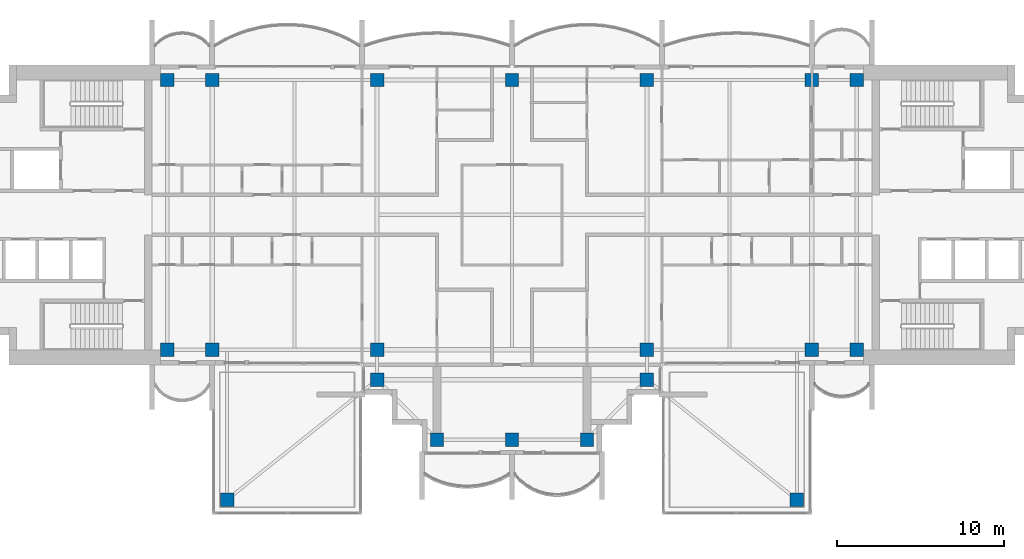
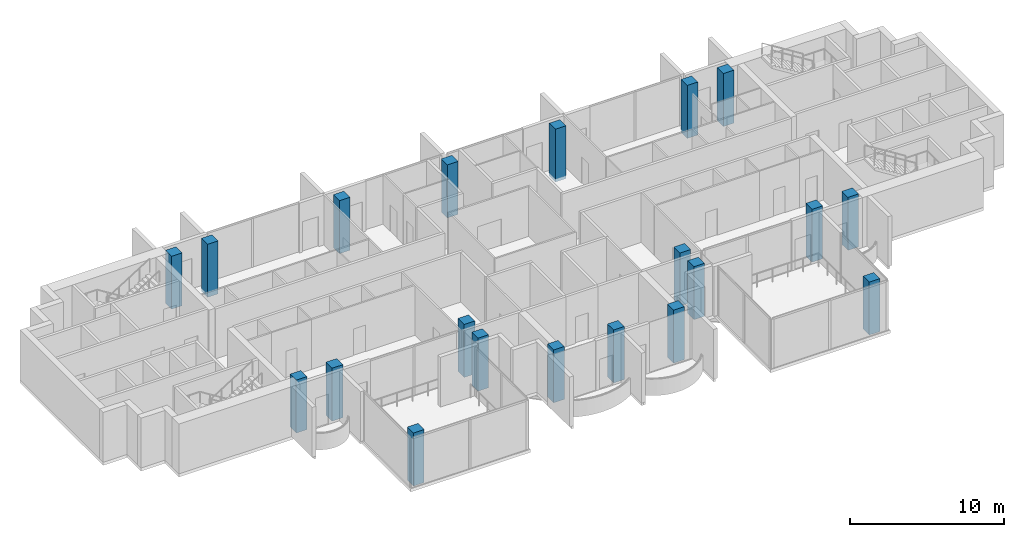
# One storey, part 1 of 16: 20 columns.
"""IFC4 building model written with IfcOpenShell, lengths in metres."""

from ifc_helpers import new_model, si_unit, direction, frame, origin, origin_2d, place, context, subcontext, project, spatial, rectangle, extrude, material, material_profile, profile_set, type_object, element, save


model = new_model("IFC4")

# Units and contexts
model_context = context("Model", 3, precision=1e-05, world=origin(), true_north=direction((0.0, 1.0)))
body_context = subcontext(model_context, "Body", "Model", "MODEL_VIEW")
ifc_project = project(units=[si_unit("LENGTHUNIT", "METRE"), si_unit("AREAUNIT", "SQUARE_METRE"), si_unit("VOLUMEUNIT", "CUBIC_METRE"), si_unit("PLANEANGLEUNIT", "RADIAN"), si_unit("MASSUNIT", "GRAM", prefix="KILO")], contexts=[model_context])

# Site, building, storey
site_placement = place(None, origin())
site = spatial("IfcSite", under=ifc_project, at=site_placement, CompositionType="ELEMENT")
building_placement = place(site_placement, origin())
building = spatial("IfcBuilding", under=site, at=building_placement, Name="Perihelion Cross Residences", CompositionType="ELEMENT")
storey_placement = place(building_placement, frame((0.0, 0.0, 294.60009765625)))
storey = spatial("IfcBuildingStorey", under=building, at=storey_placement, Name="L75", CompositionType="ELEMENT", Elevation=294.60009765625)

# Columns
ifc_material = material(Name="Concrete C50/60", Category="concrete")
ifc_material_profile = material_profile(ifc_material, rectangle(XDim=0.800048828125, YDim=0.800048828125, at=origin_2d()), Name="RC 800x800")
ifc_profile_set = profile_set([ifc_material_profile], Name="Concrete C50/60")
column_type = type_object("IfcColumnType", Name="Reinforced concrete column 800x800 C50/60", PredefinedType="COLUMN", material=ifc_profile_set)
for number, where, z_axis, x_axis, name in (
    (1, (-20.699951171875, -8.10009765625, -0.25), (0.0, 0.0, 1.0), (1.0, 0.0, 0.0), "Column C017 L75 no. 1"),
    (2, (-20.699951171875, 8.10009765625, -0.25), (0.0, 0.0, 1.0), (1.0, 0.0, 0.0), "Column C010 L75 no. 1"),
    (3, (-18.0, -8.10009765625, -0.25), (0.0, 0.0, 1.0), (1.0, 0.0, 0.0), "Column C018 L75 no. 1"),
    (4, (-18.0, 8.10009765625, -0.25), (0.0, 0.0, 1.0), (1.0, 0.0, 0.0), "Column C011 L75 no. 1"),
    (5, (-8.10009765625, -9.89990234375, -0.25), (0.0, 0.0, 1.0), (1.0, 0.0, 0.0), "Column C023 L75 no. 1"),
    (6, (-8.10009765625, -8.10009765625, -0.25), (0.0, 0.0, 1.0), (1.0, 0.0, 0.0), "Column C019 L75 no. 1"),
    (7, (-8.10009765625, 8.10009765625, -0.25), (0.0, 0.0, 1.0), (1.0, 0.0, 0.0), "Column C012 L75 no. 1"),
    (8, (-4.5, -13.5, -0.25), (0.0, 0.0, 1.0), (1.0, 0.0, 0.0), "Column C026 L75 no. 1"),
    (9, (0.0, -13.5, -0.25), (0.0, 0.0, 1.0), (1.0, 0.0, 0.0), "Column C027 L75 no. 1"),
    (10, (0.0, 8.10009765625, -0.25), (0.0, 0.0, 1.0), (1.0, 0.0, 0.0), "Column C013 L75 no. 1"),
    (11, (4.5, -13.5, -0.25), (0.0, 0.0, 1.0), (1.0, 0.0, 0.0), "Column C028 L75 no. 1"),
    (12, (8.10009765625, -9.89990234375, -0.25), (0.0, 0.0, 1.0), (1.0, 0.0, 0.0), "Column C024 L75 no. 1"),
    (13, (8.10009765625, -8.10009765625, -0.25), (0.0, 0.0, 1.0), (1.0, 0.0, 0.0), "Column C020 L75 no. 1"),
    (14, (8.10009765625, 8.10009765625, -0.25), (0.0, 0.0, 1.0), (1.0, 0.0, 0.0), "Column C014 L75 no. 1"),
    (15, (18.0, -8.10009765625, -0.25), (0.0, 0.0, 1.0), (1.0, 0.0, 0.0), "Column C021 L75 no. 1"),
    (16, (18.0, 8.10009765625, -0.25), (0.0, 0.0, 1.0), (1.0, 0.0, 0.0), "Column C015 L75 no. 1"),
    (17, (20.699951171875, -8.10009765625, -0.25), (0.0, 0.0, 1.0), (1.0, 0.0, 0.0), "Column C022 L75 no. 1"),
    (18, (20.699951171875, 8.10009765625, -0.25), (0.0, 0.0, 1.0), (1.0, 0.0, 0.0), "Column C016 L75 no. 1"),
    (19, (-17.10009765625, -17.10009765625, -0.25), (0.0, 0.0, 1.0), (1.0, 0.0, 0.0), "Column C030 L75 no. 1"),
    (20, (17.10009765625, -17.10009765625, -0.25), (0.0, 0.0, 1.0), (1.0, 0.0, 0.0), "Column C036 L75 no. 1"),
):
    element("IfcColumn", number, at=place(storey_placement, frame(where, z_axis=z_axis, x_axis=x_axis)), inside=storey, type_object=column_type, Name=name, PredefinedType="COLUMN", context=body_context, shape_type="SweptSolid", body=[
        extrude(rectangle(XDim=0.800048828125, YDim=0.800048828125, at=origin_2d()), origin(), (0.0, 0.0, 1.0), 4.199951171875),
    ])

save(model, "model.ifc")
